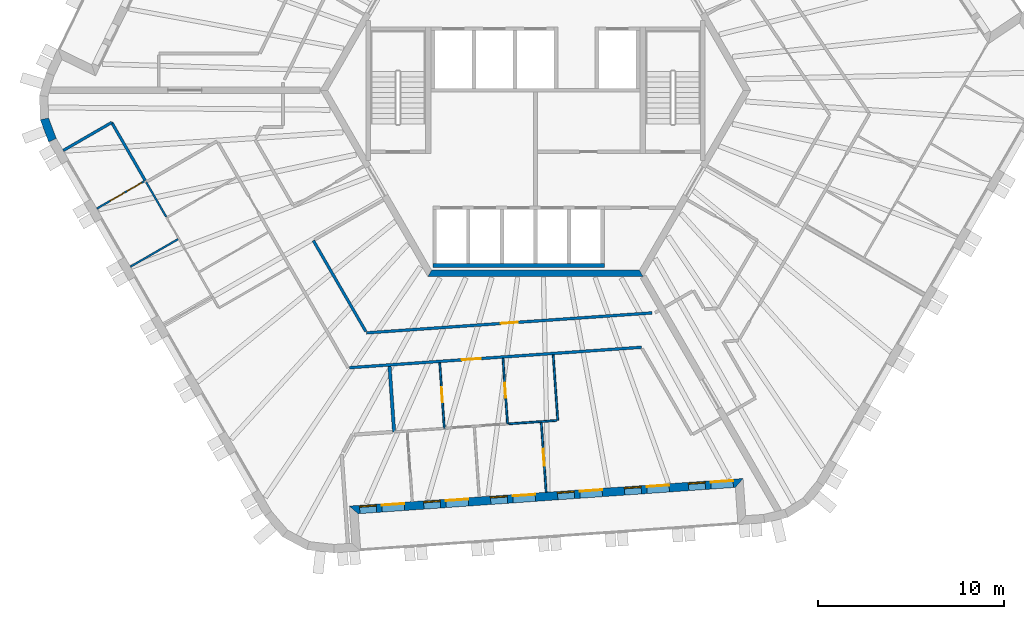
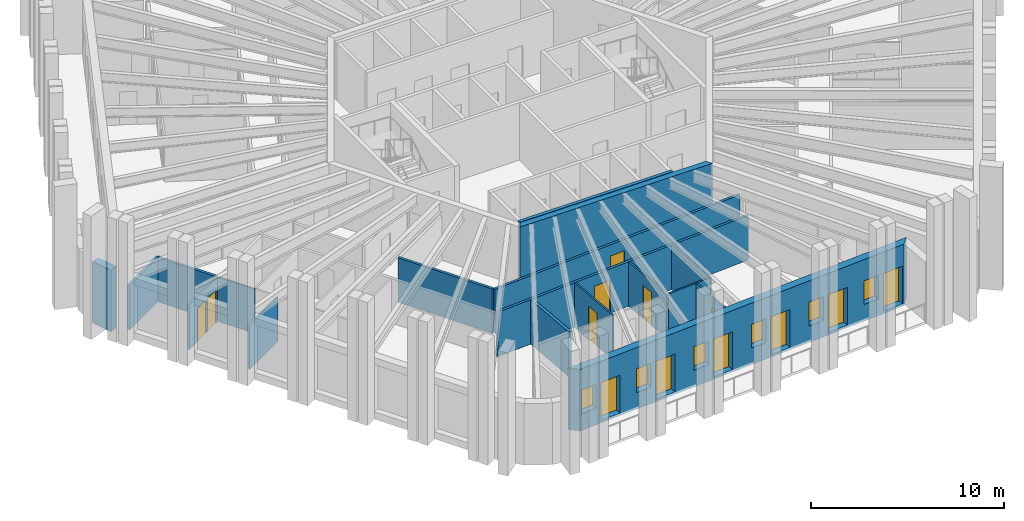
# One storey, part 3 of 12: 19 walls, 13 doors, 6 windows, 19 openings.
"""IFC4 building model written with IfcOpenShell, lengths in metres."""

from ifc_helpers import new_model, si_unit, direction, frame, frame_2d, origin, place, context, subcontext, project, spatial, polyline, rectangle, outline, extrude, material, layer, layer_set, type_object, element, fill, save


model = new_model("IFC4")

# Units and contexts
model_context = context("Model", 3, precision=1e-05, world=origin(), true_north=direction((0.0, 1.0)))
body_context = subcontext(model_context, "Body", "Model", "MODEL_VIEW")
ifc_project = project(units=[si_unit("LENGTHUNIT", "METRE"), si_unit("AREAUNIT", "SQUARE_METRE"), si_unit("VOLUMEUNIT", "CUBIC_METRE"), si_unit("PLANEANGLEUNIT", "RADIAN"), si_unit("MASSUNIT", "GRAM", prefix="KILO")], contexts=[model_context])

# Site, building, storey
site_placement = place(None, origin())
site = spatial("IfcSite", under=ifc_project, at=site_placement, CompositionType="ELEMENT")
building_placement = place(site_placement, origin())
building = spatial("IfcBuilding", under=site, at=building_placement, Name="Tarnside Tower", CompositionType="ELEMENT")
storey_placement = place(building_placement, frame((0.0, 0.0, 361.199951171875)))
storey = spatial("IfcBuildingStorey", under=building, at=storey_placement, Name="L87", CompositionType="ELEMENT", Elevation=361.199951171875)

# Walls
ifc_material_1 = material(Name="Gypsum board partition on steel studs", Category="steel")
ifc_layer_1 = layer(ifc_material_1, 0.10009765625)
ifc_layer_set_1 = layer_set([ifc_layer_1], Name="Bathroom wall 100")
wall_type_1 = type_object("IfcWallType", Name="Bathroom wall 100", PredefinedType="PARTITIONING", material=ifc_layer_set_1)
wall_1_placement = place(storey_placement, frame((-20.88525390625, -4.92578125, 0.0), z_axis=(0.0, 0.0, 1.0), x_axis=(0.500039660922, -0.86600250433, 0.0)))
element("IfcWall", 1, at=wall_1_placement, inside=storey, type_object=wall_type_1, Name="Bathroom wall 28111", PredefinedType="PARTITIONING", context=body_context, shape_type="SweptSolid", body=[
    extrude(rectangle(XDim=2.154052734375, YDim=0.10009765625, at=frame_2d((1.0771484375, 0.0))), origin(), (0.0, 0.0, 1.0), 2.820068359375),
])
wall_2_placement = place(storey_placement, frame((0.950439453125, -14.193359375, 0.0), z_axis=(0.0, 0.0, 1.0), x_axis=(0.069745730407, -0.997564801449, 0.0)))
element("IfcWall", 2, at=wall_2_placement, inside=storey, type_object=wall_type_1, Name="Bathroom wall 28116", PredefinedType="PARTITIONING", context=body_context, shape_type="SweptSolid", body=[
    extrude(rectangle(XDim=3.52490234375, YDim=0.10009765625, at=frame_2d((1.762451171875, 0.0))), origin(), (0.0, 0.0, 1.0), 2.820068359375),
])
wall_3_placement = place(storey_placement, frame((1.146484375, -17.713134765625, 0.0), z_axis=(0.0, 0.0, 1.0), x_axis=(-0.997553508491, -0.069907064713, 0.0)))
element("IfcWall", 3, at=wall_3_placement, inside=storey, type_object=wall_type_1, Name="Bathroom wall 28117", PredefinedType="PARTITIONING", context=body_context, shape_type="SweptSolid", body=[
    extrude(rectangle(XDim=0.841552734375, YDim=0.10009765625, at=frame_2d((0.4208984375, 0.0))), origin(), (0.0, 0.0, 1.0), 2.820068359375),
])

# Wall, opening, door
wall_4_placement = place(storey_placement, frame((-5.134765625, -14.618896484375, 0.0), z_axis=(0.0, 0.0, 1.0), x_axis=(0.069814653895, -0.997559980202, 0.0)))
wall_4 = element("IfcWall", 4, at=wall_4_placement, inside=storey, type_object=wall_type_1, Name="Bathroom wall 28118", PredefinedType="PARTITIONING", context=body_context, shape_type="SweptSolid", body=[
    extrude(rectangle(XDim=3.52490234375, YDim=0.10009765625, at=frame_2d((1.762451171875, 0.0))), origin(), (0.0, 0.0, 1.0), 2.820068359375),
])
opening_1_placement = place(wall_4_placement, frame((1.324951171875, 0.0, 0.0)))
opening_1 = element("IfcOpeningElement", 5, at=opening_1_placement, cuts=wall_4, Name="Opening D-B1", PredefinedType="OPENING", context=body_context, shape_type="SweptSolid", body=[
    extrude(rectangle(XDim=0.800048828125, YDim=2.10009765625, at=frame_2d((0.39990234375, 1.050048828125))), frame((0.0, 0.06005859375, 0.0), z_axis=(0.0, -1.0, 0.0), x_axis=(1.0, 0.0, 0.0)), (0.0, 0.0, 1.0), 0.1201171875),
])
ifc_material_2 = material(Name="Timber door leaf", Category="wood")
door_type_1 = type_object("IfcDoorType", Name="Bathroom door 800", OperationType="NOTDEFINED", PredefinedType="DOOR", material=ifc_material_2)
door_1_placement = place(opening_1_placement, origin())
door_1 = element("IfcDoor", 6, at=door_1_placement, inside=storey, type_object=door_type_1, Name="Bathroom door 28040", OperationType="SINGLE_SWING_RIGHT", OverallHeight=2.10009765625, OverallWidth=0.800048828125, PredefinedType="DOOR", context=body_context, shape_type="SweptSolid", body=[
    extrude(rectangle(XDim=0.800048828125, YDim=2.10009765625, at=frame_2d((0.39990234375, 1.050048828125))), frame((0.0, 0.02490234375, 0.0), z_axis=(0.0, -1.0, 0.0), x_axis=(1.0, 0.0, 0.0)), (0.0, 0.0, 1.0), 0.050048828125),
])
fill(opening_1, door_1)

wall_5_placement = place(storey_placement, frame((-1.4970703125, -17.89794921875, 0.0), z_axis=(0.0, 0.0, 1.0), x_axis=(-0.069745730407, 0.997564801449, 0.0)))
wall_5 = element("IfcWall", 7, at=wall_5_placement, inside=storey, type_object=wall_type_1, Name="Bathroom wall 28121", PredefinedType="PARTITIONING", context=body_context, shape_type="SweptSolid", body=[
    extrude(rectangle(XDim=3.52490234375, YDim=0.10009765625, at=frame_2d((1.762451171875, 0.0))), origin(), (0.0, 0.0, 1.0), 2.820068359375),
])
opening_2_placement = place(wall_5_placement, frame((1.39990234375, 0.0, 0.0)))
opening_2 = element("IfcOpeningElement", 8, at=opening_2_placement, cuts=wall_5, Name="Opening D-B1", PredefinedType="OPENING", context=body_context, shape_type="SweptSolid", body=[
    extrude(rectangle(XDim=0.800048828125, YDim=2.10009765625, at=frame_2d((0.39990234375, 1.050048828125))), frame((0.0, 0.06005859375, 0.0), z_axis=(0.0, -1.0, 0.0), x_axis=(1.0, 0.0, 0.0)), (0.0, 0.0, 1.0), 0.1201171875),
])
door_2_placement = place(opening_2_placement, origin())
door_2 = element("IfcDoor", 9, at=door_2_placement, inside=storey, type_object=door_type_1, Name="Bathroom door 28051", OperationType="SINGLE_SWING_LEFT", OverallHeight=2.10009765625, OverallWidth=0.800048828125, PredefinedType="DOOR", context=body_context, shape_type="SweptSolid", body=[
    extrude(rectangle(XDim=0.800048828125, YDim=2.10009765625, at=frame_2d((0.39990234375, 1.050048828125))), frame((0.0, 0.02490234375, 0.0), z_axis=(0.0, -1.0, 0.0), x_axis=(1.0, 0.0, 0.0)), (0.0, 0.0, 1.0), 0.050048828125),
])
fill(opening_2, door_2)

# Walls
wall_6_placement = place(storey_placement, frame((0.310791015625, -17.771484375, 0.0), z_axis=(0.0, 0.0, 1.0), x_axis=(-0.997559642586, -0.069819477831, 0.0)))
element("IfcWall", 10, at=wall_6_placement, inside=storey, type_object=wall_type_1, Name="Bathroom wall 28126", PredefinedType="PARTITIONING", context=body_context, shape_type="SweptSolid", body=[
    extrude(rectangle(XDim=1.762451171875, YDim=0.10009765625, at=frame_2d((0.88134765625, 0.0))), origin(), (0.0, 0.0, 1.0), 2.820068359375),
])
ifc_material_3 = material(Name="Concrete C50/60", Category="concrete")
ifc_layer_2 = layer(ifc_material_3, 0.35009765625)
ifc_layer_set_2 = layer_set([ifc_layer_2], Name="Core wall Z4 350 C50/60")
wall_type_2 = type_object("IfcWallType", Name="Core wall Z4 350 C50/60", PredefinedType="SHEAR", material=ifc_layer_set_2)
wall_7_placement = place(storey_placement, frame((-5.672607421875, -9.824951171875, -0.14990234375), z_axis=(0.0, 0.0, 1.0), x_axis=(1.0, 0.0, 0.0)))
element("IfcWall", 11, at=wall_7_placement, inside=storey, type_object=wall_type_2, Name="L87 core wall face 4", PredefinedType="SHEAR", context=body_context, shape_type="SweptSolid", body=[
    extrude(outline(polyline([(-0.10107421875, -0.175048828125), (11.4462890625, -0.175048828125), (11.244140625, 0.175048828125), (0.10107421875, 0.175048828125), (-0.10107421875, -0.175048828125)])), origin(), (0.0, 0.0, 1.0), 3.89990234375),
])

# Wall, opening, door
ifc_layer_3 = layer(ifc_material_1, 0.14990234375)
ifc_layer_set_3 = layer_set([ifc_layer_3], Name="Corridor wall 150 EI 60")
wall_type_3 = type_object("IfcWallType", Name="Corridor wall 150 EI 60", PredefinedType="PARTITIONING", material=ifc_layer_set_3)
wall_8_placement = place(storey_placement, frame((-9.9697265625, -14.881591796875, 0.0), z_axis=(0.0, 0.0, 1.0), x_axis=(0.997564384496, 0.06975169378, 0.0)))
wall_8 = element("IfcWall", 12, at=wall_8_placement, inside=storey, type_object=wall_type_3, Name="Corridor wall 28027", PredefinedType="PARTITIONING", context=body_context, shape_type="SweptSolid", body=[
    extrude(rectangle(XDim=15.687744140625, YDim=0.14990234375, at=frame_2d((7.84375, 0.0))), origin(), (0.0, 0.0, 1.0), 2.820068359375),
])
opening_3_placement = place(wall_8_placement, frame((6.041748046875, 0.0, 0.0)))
opening_3 = element("IfcOpeningElement", 13, at=opening_3_placement, cuts=wall_8, Name="Opening D-E1", PredefinedType="OPENING", context=body_context, shape_type="SweptSolid", body=[
    extrude(rectangle(XDim=1.0, YDim=2.10009765625, at=frame_2d((0.5, 1.050048828125))), frame((0.0, 0.0849609375, 0.0), z_axis=(0.0, -1.0, 0.0), x_axis=(1.0, 0.0, 0.0)), (0.0, 0.0, 1.0), 0.169921875),
])
door_type_2 = type_object("IfcDoorType", Name="Unit entrance door 1000 FD30S", OperationType="NOTDEFINED", PredefinedType="DOOR", material=ifc_material_2)
door_3_placement = place(opening_3_placement, origin())
door_3 = element("IfcDoor", 14, at=door_3_placement, inside=storey, type_object=door_type_2, Name="Unit door 28039", OperationType="SINGLE_SWING_LEFT", OverallHeight=2.10009765625, OverallWidth=1.0, PredefinedType="DOOR", context=body_context, shape_type="SweptSolid", body=[
    extrude(rectangle(XDim=1.0, YDim=2.10009765625, at=frame_2d((0.5, 1.050048828125))), frame((0.0, 0.02490234375, 0.0), z_axis=(0.0, -1.0, 0.0), x_axis=(1.0, 0.0, 0.0)), (0.0, 0.0, 1.0), 0.050048828125),
])
fill(opening_3, door_3)

# Walls
wall_9_placement = place(storey_placement, frame((-25.3291015625, -3.228759765625, 0.0), z_axis=(0.0, 0.0, 1.0), x_axis=(0.865999837459, 0.50004427956, 0.0)))
element("IfcWall", 15, at=wall_9_placement, inside=storey, type_object=wall_type_3, Name="Corridor wall 28031", PredefinedType="PARTITIONING", context=body_context, shape_type="SweptSolid", body=[
    extrude(rectangle(XDim=2.998779296875, YDim=0.14990234375, at=frame_2d((1.49951171875, 0.0))), origin(), (0.0, 0.0, 1.0), 2.820068359375),
])
wall_10_placement = place(storey_placement, frame((-22.73046875, -1.729736328125, 0.0), z_axis=(0.0, 0.0, 1.0), x_axis=(0.500027802648, -0.866009351323, 0.0)))
element("IfcWall", 16, at=wall_10_placement, inside=storey, type_object=wall_type_3, Name="Corridor wall 28032", PredefinedType="PARTITIONING", context=body_context, shape_type="SweptSolid", body=[
    extrude(rectangle(XDim=3.598876953125, YDim=0.14990234375, at=frame_2d((1.79931640625, 0.0))), origin(), (0.0, 0.0, 1.0), 2.820068359375),
])

# Wall, opening, door
wall_11_placement = place(storey_placement, frame((6.24462890625, -11.943603515625, 0.0), z_axis=(0.0, 0.0, 1.0), x_axis=(-0.997564707029, -0.069747080866, 0.0)))
wall_11 = element("IfcWall", 17, at=wall_11_placement, inside=storey, type_object=wall_type_3, Name="Corridor wall 28046", PredefinedType="PARTITIONING", context=body_context, shape_type="SweptSolid", body=[
    extrude(rectangle(XDim=15.338623046875, YDim=0.14990234375, at=frame_2d((7.66943359375, 0.0))), origin(), (0.0, 0.0, 1.0), 2.820068359375),
])
opening_4_placement = place(wall_11_placement, frame((7.21923828125, 0.0, 0.0)))
opening_4 = element("IfcOpeningElement", 18, at=opening_4_placement, cuts=wall_11, Name="Opening D-S1", PredefinedType="OPENING", context=body_context, shape_type="SweptSolid", body=[
    extrude(rectangle(XDim=0.89990234375, YDim=2.10009765625, at=frame_2d((0.449951171875, 1.050048828125))), frame((0.0, 0.0849609375, 0.0), z_axis=(0.0, -1.0, 0.0), x_axis=(1.0, 0.0, 0.0)), (0.0, 0.0, 1.0), 0.169921875),
])
door_type_3 = type_object("IfcDoorType", Name="Service room door 900 FD30S", OperationType="NOTDEFINED", PredefinedType="DOOR", material=ifc_material_2)
door_4_placement = place(opening_4_placement, origin())
door_4 = element("IfcDoor", 19, at=door_4_placement, inside=storey, type_object=door_type_3, Name="Service door 28066", OperationType="SINGLE_SWING_RIGHT", OverallHeight=2.10009765625, OverallWidth=0.89990234375, PredefinedType="DOOR", context=body_context, shape_type="SweptSolid", body=[
    extrude(rectangle(XDim=0.89990234375, YDim=2.10009765625, at=frame_2d((0.449951171875, 1.050048828125))), frame((0.0, 0.02490234375, 0.0), z_axis=(0.0, -1.0, 0.0), x_axis=(1.0, 0.0, 0.0)), (0.0, 0.0, 1.0), 0.050048828125),
])
fill(opening_4, door_4)

# Walls
wall_12_placement = place(storey_placement, frame((-9.098388671875, -12.941162109375, 0.0), z_axis=(0.0, 0.0, 1.0), x_axis=(-0.500009875128, 0.866019702301, 0.0)))
element("IfcWall", 20, at=wall_12_placement, inside=storey, type_object=wall_type_3, Name="Corridor wall 28047", PredefinedType="PARTITIONING", context=body_context, shape_type="SweptSolid", body=[
    extrude(rectangle(XDim=5.63720703125, YDim=0.14990234375, at=frame_2d((2.818603515625, 0.0))), origin(), (0.0, 0.0, 1.0), 2.820068359375),
])
ifc_layer_4 = layer(ifc_material_1, 0.179931640625)
ifc_layer_set_4 = layer_set([ifc_layer_4], Name="Demising wall 180 EI 60")
wall_type_4 = type_object("IfcWallType", Name="Demising wall 180 EI 60", PredefinedType="PARTITIONING", material=ifc_layer_set_4)
wall_13_placement = place(storey_placement, frame((-7.582275390625, -18.323486328125, 0.0), z_axis=(0.0, 0.0, 1.0), x_axis=(-0.069745730407, 0.997564801449, 0.0)))
element("IfcWall", 21, at=wall_13_placement, inside=storey, type_object=wall_type_4, Name="Demising wall 28103", PredefinedType="PARTITIONING", context=body_context, shape_type="SweptSolid", body=[
    extrude(rectangle(XDim=3.52490234375, YDim=0.179931640625, at=frame_2d((1.762451171875, 0.0))), origin(), (0.0, 0.0, 1.0), 2.820068359375),
])
ifc_material_4 = material(Name="Concrete C40/50", Category="concrete")
ifc_layer_5 = layer(ifc_material_4, 0.199951171875)
ifc_layer_set_5 = layer_set([ifc_layer_5], Name="Lift shaft wall 200 C40/50")
wall_type_5 = type_object("IfcWallType", Name="Lift shaft wall 200 C40/50", PredefinedType="SHEAR", material=ifc_layer_set_5)
wall_14_placement = place(storey_placement, frame((-5.5, -9.39990234375, -0.25), z_axis=(0.0, 0.0, 1.0), x_axis=(1.0, 0.0, 0.0)))
element("IfcWall", 22, at=wall_14_placement, inside=storey, type_object=wall_type_5, Name="L87 lift shaft back wall R4", PredefinedType="SHEAR", context=body_context, shape_type="SweptSolid", body=[
    extrude(rectangle(XDim=9.199951171875, YDim=0.199951171875, at=frame_2d((4.60009765625, 0.0))), origin(), (0.0, 0.0, 1.0), 3.900146484375),
])

# Wall, openings, doors, windows
ifc_material_5 = material(Name="Dark zinc cladding")
ifc_layer_6 = layer(ifc_material_5, 0.10205078125)
ifc_material_6 = material(Name="Concrete C60/75 precast", Category="concrete")
ifc_layer_7 = layer(ifc_material_6, 0.248046875)
ifc_material_7 = material(Name="Mineral wool insulation")
ifc_layer_8 = layer(ifc_material_7, 0.10009765625)
ifc_layer_set_6 = layer_set([ifc_layer_6, ifc_layer_7, ifc_layer_8], Name="Loggia wall 450 zinc faced")
wall_type_6 = type_object("IfcWallType", Name="Loggia wall 450 zinc faced", PredefinedType="SOLIDWALL", material=ifc_layer_set_6)
wall_15_placement = place(storey_placement, frame((-9.7509765625, -22.510009765625, -0.14990234375), z_axis=(0.0, 0.0, 1.0), x_axis=(0.997564460173, 0.06975061147, 0.0)))
wall_15 = element("IfcWall", 23, at=wall_15_placement, inside=storey, type_object=wall_type_6, Name="Tube wall L87 F4 back 18", PredefinedType="SOLIDWALL", context=body_context, shape_type="SweptSolid", body=[
    extrude(outline(polyline([(0.224853515625, -0.22509765625), (20.5068359375, -0.22509765625), (20.95654296875, 0.22509765625), (-0.224853515625, 0.22509765625), (0.224853515625, -0.22509765625)])), origin(), (0.0, 0.0, 1.0), 3.89990234375),
])
opening_5_placement = place(wall_15_placement, frame((0.324951171875, 0.0, 1.050048828125)))
opening_5 = element("IfcOpeningElement", 24, at=opening_5_placement, cuts=wall_15, Name="Opening WL450", PredefinedType="OPENING", context=body_context, shape_type="SweptSolid", body=[
    extrude(rectangle(XDim=0.89990234375, YDim=1.5, at=frame_2d((0.449951171875, 0.75))), frame((0.0, 0.23486328125, 0.0), z_axis=(0.0, -1.0, 0.0), x_axis=(1.0, 0.0, 0.0)), (0.0, 0.0, 1.0), 0.469970703125),
])
opening_6_placement = place(wall_15_placement, frame((1.52490234375, 0.0, 0.14990234375)))
opening_6 = element("IfcOpeningElement", 25, at=opening_6_placement, cuts=wall_15, Name="Opening DB450", PredefinedType="OPENING", context=body_context, shape_type="SweptSolid", body=[
    extrude(rectangle(XDim=1.199951171875, YDim=2.39990234375, at=frame_2d((0.60009765625, 1.199951171875))), frame((0.0, 0.23486328125, 0.0), z_axis=(0.0, -1.0, 0.0), x_axis=(1.0, 0.0, 0.0)), (0.0, 0.0, 1.0), 0.469970703125),
])
opening_7_placement = place(wall_15_placement, frame((3.765869140625, 0.0, 1.050048828125)))
opening_7 = element("IfcOpeningElement", 26, at=opening_7_placement, cuts=wall_15, Name="Opening WL450", PredefinedType="OPENING", context=body_context, shape_type="SweptSolid", body=[
    extrude(rectangle(XDim=0.89990234375, YDim=1.5, at=frame_2d((0.449951171875, 0.75))), frame((0.0, 0.23486328125, 0.0), z_axis=(0.0, -1.0, 0.0), x_axis=(1.0, 0.0, 0.0)), (0.0, 0.0, 1.0), 0.469970703125),
])
opening_8_placement = place(wall_15_placement, frame((4.9658203125, 0.0, 0.14990234375)))
opening_8 = element("IfcOpeningElement", 27, at=opening_8_placement, cuts=wall_15, Name="Opening DB450", PredefinedType="OPENING", context=body_context, shape_type="SweptSolid", body=[
    extrude(rectangle(XDim=1.199951171875, YDim=2.39990234375, at=frame_2d((0.60009765625, 1.199951171875))), frame((0.0, 0.23486328125, 0.0), z_axis=(0.0, -1.0, 0.0), x_axis=(1.0, 0.0, 0.0)), (0.0, 0.0, 1.0), 0.469970703125),
])
opening_9_placement = place(wall_15_placement, frame((7.36572265625, 0.0, 1.050048828125)))
opening_9 = element("IfcOpeningElement", 28, at=opening_9_placement, cuts=wall_15, Name="Opening WL450", PredefinedType="OPENING", context=body_context, shape_type="SweptSolid", body=[
    extrude(rectangle(XDim=0.89990234375, YDim=1.5, at=frame_2d((0.449951171875, 0.75))), frame((0.0, 0.23486328125, 0.0), z_axis=(0.0, -1.0, 0.0), x_axis=(1.0, 0.0, 0.0)), (0.0, 0.0, 1.0), 0.469970703125),
])
opening_10_placement = place(wall_15_placement, frame((8.56591796875, 0.0, 0.14990234375)))
opening_10 = element("IfcOpeningElement", 29, at=opening_10_placement, cuts=wall_15, Name="Opening DB450", PredefinedType="OPENING", context=body_context, shape_type="SweptSolid", body=[
    extrude(rectangle(XDim=1.199951171875, YDim=2.39990234375, at=frame_2d((0.60009765625, 1.199951171875))), frame((0.0, 0.23486328125, 0.0), z_axis=(0.0, -1.0, 0.0), x_axis=(1.0, 0.0, 0.0)), (0.0, 0.0, 1.0), 0.469970703125),
])
opening_11_placement = place(wall_15_placement, frame((10.9658203125, 0.0, 1.050048828125)))
opening_11 = element("IfcOpeningElement", 30, at=opening_11_placement, cuts=wall_15, Name="Opening WL450", PredefinedType="OPENING", context=body_context, shape_type="SweptSolid", body=[
    extrude(rectangle(XDim=0.89990234375, YDim=1.5, at=frame_2d((0.449951171875, 0.75))), frame((0.0, 0.23486328125, 0.0), z_axis=(0.0, -1.0, 0.0), x_axis=(1.0, 0.0, 0.0)), (0.0, 0.0, 1.0), 0.469970703125),
])
opening_12_placement = place(wall_15_placement, frame((12.165771484375, 0.0, 0.14990234375)))
opening_12 = element("IfcOpeningElement", 31, at=opening_12_placement, cuts=wall_15, Name="Opening DB450", PredefinedType="OPENING", context=body_context, shape_type="SweptSolid", body=[
    extrude(rectangle(XDim=1.199951171875, YDim=2.39990234375, at=frame_2d((0.60009765625, 1.199951171875))), frame((0.0, 0.23486328125, 0.0), z_axis=(0.0, -1.0, 0.0), x_axis=(1.0, 0.0, 0.0)), (0.0, 0.0, 1.0), 0.469970703125),
])
opening_13_placement = place(wall_15_placement, frame((14.56591796875, 0.0, 1.050048828125)))
opening_13 = element("IfcOpeningElement", 32, at=opening_13_placement, cuts=wall_15, Name="Opening WL450", PredefinedType="OPENING", context=body_context, shape_type="SweptSolid", body=[
    extrude(rectangle(XDim=0.89990234375, YDim=1.5, at=frame_2d((0.449951171875, 0.75))), frame((0.0, 0.23486328125, 0.0), z_axis=(0.0, -1.0, 0.0), x_axis=(1.0, 0.0, 0.0)), (0.0, 0.0, 1.0), 0.469970703125),
])
opening_14_placement = place(wall_15_placement, frame((15.765869140625, 0.0, 0.14990234375)))
opening_14 = element("IfcOpeningElement", 33, at=opening_14_placement, cuts=wall_15, Name="Opening DB450", PredefinedType="OPENING", context=body_context, shape_type="SweptSolid", body=[
    extrude(rectangle(XDim=1.199951171875, YDim=2.39990234375, at=frame_2d((0.60009765625, 1.199951171875))), frame((0.0, 0.23486328125, 0.0), z_axis=(0.0, -1.0, 0.0), x_axis=(1.0, 0.0, 0.0)), (0.0, 0.0, 1.0), 0.469970703125),
])
opening_15_placement = place(wall_15_placement, frame((18.006591796875, 0.0, 1.050048828125)))
opening_15 = element("IfcOpeningElement", 34, at=opening_15_placement, cuts=wall_15, Name="Opening WL450", PredefinedType="OPENING", context=body_context, shape_type="SweptSolid", body=[
    extrude(rectangle(XDim=0.89990234375, YDim=1.5, at=frame_2d((0.449951171875, 0.75))), frame((0.0, 0.23486328125, 0.0), z_axis=(0.0, -1.0, 0.0), x_axis=(1.0, 0.0, 0.0)), (0.0, 0.0, 1.0), 0.469970703125),
])
opening_16_placement = place(wall_15_placement, frame((19.20654296875, 0.0, 0.14990234375)))
opening_16 = element("IfcOpeningElement", 35, at=opening_16_placement, cuts=wall_15, Name="Opening DB450", PredefinedType="OPENING", context=body_context, shape_type="SweptSolid", body=[
    extrude(rectangle(XDim=1.199951171875, YDim=2.39990234375, at=frame_2d((0.60009765625, 1.199951171875))), frame((0.0, 0.23486328125, 0.0), z_axis=(0.0, -1.0, 0.0), x_axis=(1.0, 0.0, 0.0)), (0.0, 0.0, 1.0), 0.469970703125),
])
ifc_material_8 = material(Name="Aluminium-framed double glazing", Category="aluminium")
door_type_4 = type_object("IfcDoorType", Name="Balcony sliding door 1200 x 2400 in 450 wall", OperationType="SLIDING_TO_LEFT", PredefinedType="DOOR", material=ifc_material_8)
door_5_placement = place(opening_6_placement, frame((0.0, 0.150146484375, 0.0)))
door_5 = element("IfcDoor", 36, at=door_5_placement, inside=storey, type_object=door_type_4, Name="E.BD.L87.F4.00", OperationType="SLIDING_TO_LEFT", OverallHeight=2.39990234375, OverallWidth=1.199951171875, PredefinedType="DOOR", context=body_context, shape_type="SweptSolid", body=[
    extrude(rectangle(XDim=1.199951171875, YDim=2.39990234375, at=frame_2d((0.60009765625, 1.199951171875))), frame((0.0, 0.02490234375, 0.0), z_axis=(0.0, -1.0, 0.0), x_axis=(1.0, 0.0, 0.0)), (0.0, 0.0, 1.0), 0.050048828125),
])
fill(opening_6, door_5)
door_6_placement = place(opening_8_placement, frame((0.0, 0.150146484375, 0.0)))
door_6 = element("IfcDoor", 37, at=door_6_placement, inside=storey, type_object=door_type_4, Name="E.BD.L87.F4.01", OperationType="SLIDING_TO_LEFT", OverallHeight=2.39990234375, OverallWidth=1.199951171875, PredefinedType="DOOR", context=body_context, shape_type="SweptSolid", body=[
    extrude(rectangle(XDim=1.199951171875, YDim=2.39990234375, at=frame_2d((0.60009765625, 1.199951171875))), frame((0.0, 0.02490234375, 0.0), z_axis=(0.0, -1.0, 0.0), x_axis=(1.0, 0.0, 0.0)), (0.0, 0.0, 1.0), 0.050048828125),
])
fill(opening_8, door_6)
door_7_placement = place(opening_10_placement, frame((0.0, 0.150146484375, 0.0)))
door_7 = element("IfcDoor", 38, at=door_7_placement, inside=storey, type_object=door_type_4, Name="E.BD.L87.F4.02", OperationType="SLIDING_TO_LEFT", OverallHeight=2.39990234375, OverallWidth=1.199951171875, PredefinedType="DOOR", context=body_context, shape_type="SweptSolid", body=[
    extrude(rectangle(XDim=1.199951171875, YDim=2.39990234375, at=frame_2d((0.60009765625, 1.199951171875))), frame((0.0, 0.02490234375, 0.0), z_axis=(0.0, -1.0, 0.0), x_axis=(1.0, 0.0, 0.0)), (0.0, 0.0, 1.0), 0.050048828125),
])
fill(opening_10, door_7)
door_8_placement = place(opening_12_placement, frame((0.0, 0.150146484375, 0.0)))
door_8 = element("IfcDoor", 39, at=door_8_placement, inside=storey, type_object=door_type_4, Name="E.BD.L87.F4.03", OperationType="SLIDING_TO_LEFT", OverallHeight=2.39990234375, OverallWidth=1.199951171875, PredefinedType="DOOR", context=body_context, shape_type="SweptSolid", body=[
    extrude(rectangle(XDim=1.199951171875, YDim=2.39990234375, at=frame_2d((0.60009765625, 1.199951171875))), frame((0.0, 0.02490234375, 0.0), z_axis=(0.0, -1.0, 0.0), x_axis=(1.0, 0.0, 0.0)), (0.0, 0.0, 1.0), 0.050048828125),
])
fill(opening_12, door_8)
door_9_placement = place(opening_14_placement, frame((0.0, 0.150146484375, 0.0)))
door_9 = element("IfcDoor", 40, at=door_9_placement, inside=storey, type_object=door_type_4, Name="E.BD.L87.F4.04", OperationType="SLIDING_TO_LEFT", OverallHeight=2.39990234375, OverallWidth=1.199951171875, PredefinedType="DOOR", context=body_context, shape_type="SweptSolid", body=[
    extrude(rectangle(XDim=1.199951171875, YDim=2.39990234375, at=frame_2d((0.60009765625, 1.199951171875))), frame((0.0, 0.02490234375, 0.0), z_axis=(0.0, -1.0, 0.0), x_axis=(1.0, 0.0, 0.0)), (0.0, 0.0, 1.0), 0.050048828125),
])
fill(opening_14, door_9)
door_10_placement = place(opening_16_placement, frame((0.0, 0.150146484375, 0.0)))
door_10 = element("IfcDoor", 41, at=door_10_placement, inside=storey, type_object=door_type_4, Name="E.BD.L87.F4.05", OperationType="SLIDING_TO_LEFT", OverallHeight=2.39990234375, OverallWidth=1.199951171875, PredefinedType="DOOR", context=body_context, shape_type="SweptSolid", body=[
    extrude(rectangle(XDim=1.199951171875, YDim=2.39990234375, at=frame_2d((0.60009765625, 1.199951171875))), frame((0.0, 0.02490234375, 0.0), z_axis=(0.0, -1.0, 0.0), x_axis=(1.0, 0.0, 0.0)), (0.0, 0.0, 1.0), 0.050048828125),
])
fill(opening_16, door_10)
window_type = type_object("IfcWindowType", Name="Loggia window 900 x 1500 in 450 wall", PartitioningType="SINGLE_PANEL", PredefinedType="WINDOW", material=ifc_material_8)
window_1_placement = place(opening_5_placement, frame((0.0, 0.1552734375, 0.0)))
window_1 = element("IfcWindow", 42, at=window_1_placement, inside=storey, type_object=window_type, Name="E.LW.L87.F4.00", OverallHeight=1.5, OverallWidth=0.89990234375, PartitioningType="SINGLE_PANEL", PredefinedType="WINDOW", context=body_context, shape_type="SweptSolid", body=[
    extrude(rectangle(XDim=0.89990234375, YDim=1.5, at=frame_2d((0.449951171875, 0.75))), frame((0.0, 0.030029296875, 0.0), z_axis=(0.0, -1.0, 0.0), x_axis=(1.0, 0.0, 0.0)), (0.0, 0.0, 1.0), 0.06005859375),
])
fill(opening_5, window_1)
window_2_placement = place(opening_7_placement, frame((0.0, 0.1552734375, 0.0)))
window_2 = element("IfcWindow", 43, at=window_2_placement, inside=storey, type_object=window_type, Name="E.LW.L87.F4.01", OverallHeight=1.5, OverallWidth=0.89990234375, PartitioningType="SINGLE_PANEL", PredefinedType="WINDOW", context=body_context, shape_type="SweptSolid", body=[
    extrude(rectangle(XDim=0.89990234375, YDim=1.5, at=frame_2d((0.449951171875, 0.75))), frame((0.0, 0.030029296875, 0.0), z_axis=(0.0, -1.0, 0.0), x_axis=(1.0, 0.0, 0.0)), (0.0, 0.0, 1.0), 0.06005859375),
])
fill(opening_7, window_2)
window_3_placement = place(opening_9_placement, frame((0.0, 0.1552734375, 0.0)))
window_3 = element("IfcWindow", 44, at=window_3_placement, inside=storey, type_object=window_type, Name="E.LW.L87.F4.02", OverallHeight=1.5, OverallWidth=0.89990234375, PartitioningType="SINGLE_PANEL", PredefinedType="WINDOW", context=body_context, shape_type="SweptSolid", body=[
    extrude(rectangle(XDim=0.89990234375, YDim=1.5, at=frame_2d((0.449951171875, 0.75))), frame((0.0, 0.030029296875, 0.0), z_axis=(0.0, -1.0, 0.0), x_axis=(1.0, 0.0, 0.0)), (0.0, 0.0, 1.0), 0.06005859375),
])
fill(opening_9, window_3)
window_4_placement = place(opening_11_placement, frame((0.0, 0.1552734375, 0.0)))
window_4 = element("IfcWindow", 45, at=window_4_placement, inside=storey, type_object=window_type, Name="E.LW.L87.F4.03", OverallHeight=1.5, OverallWidth=0.89990234375, PartitioningType="SINGLE_PANEL", PredefinedType="WINDOW", context=body_context, shape_type="SweptSolid", body=[
    extrude(rectangle(XDim=0.89990234375, YDim=1.5, at=frame_2d((0.449951171875, 0.75))), frame((0.0, 0.030029296875, 0.0), z_axis=(0.0, -1.0, 0.0), x_axis=(1.0, 0.0, 0.0)), (0.0, 0.0, 1.0), 0.06005859375),
])
fill(opening_11, window_4)
window_5_placement = place(opening_13_placement, frame((0.0, 0.1552734375, 0.0)))
window_5 = element("IfcWindow", 46, at=window_5_placement, inside=storey, type_object=window_type, Name="E.LW.L87.F4.04", OverallHeight=1.5, OverallWidth=0.89990234375, PartitioningType="SINGLE_PANEL", PredefinedType="WINDOW", context=body_context, shape_type="SweptSolid", body=[
    extrude(rectangle(XDim=0.89990234375, YDim=1.5, at=frame_2d((0.449951171875, 0.75))), frame((0.0, 0.030029296875, 0.0), z_axis=(0.0, -1.0, 0.0), x_axis=(1.0, 0.0, 0.0)), (0.0, 0.0, 1.0), 0.06005859375),
])
fill(opening_13, window_5)
window_6_placement = place(opening_15_placement, frame((0.0, 0.1552734375, 0.0)))
window_6 = element("IfcWindow", 47, at=window_6_placement, inside=storey, type_object=window_type, Name="E.LW.L87.F4.05", OverallHeight=1.5, OverallWidth=0.89990234375, PartitioningType="SINGLE_PANEL", PredefinedType="WINDOW", context=body_context, shape_type="SweptSolid", body=[
    extrude(rectangle(XDim=0.89990234375, YDim=1.5, at=frame_2d((0.449951171875, 0.75))), frame((0.0, 0.030029296875, 0.0), z_axis=(0.0, -1.0, 0.0), x_axis=(1.0, 0.0, 0.0)), (0.0, 0.0, 1.0), 0.06005859375),
])
fill(opening_15, window_6)

# Wall, openings, doors
ifc_layer_9 = layer(ifc_material_1, 0.10009765625)
ifc_layer_set_7 = layer_set([ifc_layer_9], Name="Partition 100")
wall_type_7 = type_object("IfcWallType", Name="Partition 100", PredefinedType="PARTITIONING", material=ifc_layer_set_7)
wall_16_placement = place(storey_placement, frame((-23.529052734375, -6.346435546875, 0.0), z_axis=(0.0, 0.0, 1.0), x_axis=(0.866025730634, 0.499999433879, 0.0)))
wall_16 = element("IfcWall", 48, at=wall_16_placement, inside=storey, type_object=wall_type_7, Name="Partition wall 28112", PredefinedType="PARTITIONING", context=body_context, shape_type="SweptSolid", body=[
    extrude(rectangle(XDim=2.9248046875, YDim=0.10009765625, at=frame_2d((1.46240234375, 0.0))), origin(), (0.0, 0.0, 1.0), 2.820068359375),
])
opening_17_placement = place(wall_16_placement, frame((1.875, 0.0, 0.0)))
opening_17 = element("IfcOpeningElement", 49, at=opening_17_placement, cuts=wall_16, Name="Opening D-I1", PredefinedType="OPENING", context=body_context, shape_type="SweptSolid", body=[
    extrude(rectangle(XDim=0.89990234375, YDim=2.10009765625, at=frame_2d((0.449951171875, 1.050048828125))), frame((0.0, 0.06005859375, 0.0), z_axis=(0.0, -1.0, 0.0), x_axis=(1.0, 0.0, 0.0)), (0.0, 0.0, 1.0), 0.1201171875),
])
opening_18_placement = place(wall_16_placement, frame((0.824951171875, 0.0, 0.0)))
opening_18 = element("IfcOpeningElement", 50, at=opening_18_placement, cuts=wall_16, Name="Opening D-I1", PredefinedType="OPENING", context=body_context, shape_type="SweptSolid", body=[
    extrude(rectangle(XDim=0.89990234375, YDim=2.10009765625, at=frame_2d((0.449951171875, 1.050048828125))), frame((0.0, 0.06005859375, 0.0), z_axis=(0.0, -1.0, 0.0), x_axis=(1.0, 0.0, 0.0)), (0.0, 0.0, 1.0), 0.1201171875),
])
door_type_5 = type_object("IfcDoorType", Name="Internal door 900", OperationType="NOTDEFINED", PredefinedType="DOOR", material=ifc_material_2)
door_11_placement = place(opening_17_placement, origin())
door_11 = element("IfcDoor", 51, at=door_11_placement, inside=storey, type_object=door_type_5, Name="Internal door 28033", OperationType="SINGLE_SWING_RIGHT", OverallHeight=2.10009765625, OverallWidth=0.89990234375, PredefinedType="DOOR", context=body_context, shape_type="SweptSolid", body=[
    extrude(rectangle(XDim=0.89990234375, YDim=2.10009765625, at=frame_2d((0.449951171875, 1.050048828125))), frame((0.0, 0.02490234375, 0.0), z_axis=(0.0, -1.0, 0.0), x_axis=(1.0, 0.0, 0.0)), (0.0, 0.0, 1.0), 0.050048828125),
])
fill(opening_17, door_11)
door_12_placement = place(opening_18_placement, origin())
door_12 = element("IfcDoor", 52, at=door_12_placement, inside=storey, type_object=door_type_5, Name="Internal door 28036", OperationType="SINGLE_SWING_RIGHT", OverallHeight=2.10009765625, OverallWidth=0.89990234375, PredefinedType="DOOR", context=body_context, shape_type="SweptSolid", body=[
    extrude(rectangle(XDim=0.89990234375, YDim=2.10009765625, at=frame_2d((0.449951171875, 1.050048828125))), frame((0.0, 0.02490234375, 0.0), z_axis=(0.0, -1.0, 0.0), x_axis=(1.0, 0.0, 0.0)), (0.0, 0.0, 1.0), 0.050048828125),
])
fill(opening_18, door_12)

# Wall
wall_17_placement = place(storey_placement, frame((-21.72900390625, -9.464111328125, 0.0), z_axis=(0.0, 0.0, 1.0), x_axis=(0.866003658127, 0.500037662692, 0.0)))
element("IfcWall", 53, at=wall_17_placement, inside=storey, type_object=wall_type_7, Name="Partition wall 28113", PredefinedType="PARTITIONING", context=body_context, shape_type="SweptSolid", body=[
    extrude(rectangle(XDim=2.949951171875, YDim=0.10009765625, at=frame_2d((1.47509765625, 0.0))), origin(), (0.0, 0.0, 1.0), 2.820068359375),
])

# Wall, opening, door
wall_18_placement = place(storey_placement, frame((0.312255859375, -17.821533203125, 0.0), z_axis=(0.0, 0.0, 1.0), x_axis=(0.069789608916, -0.99756173267, 0.0)))
wall_18 = element("IfcWall", 54, at=wall_18_placement, inside=storey, type_object=wall_type_7, Name="Partition wall 28115", PredefinedType="PARTITIONING", context=body_context, shape_type="SweptSolid", body=[
    extrude(rectangle(XDim=3.75, YDim=0.10009765625, at=frame_2d((1.875, 0.0))), origin(), (0.0, 0.0, 1.0), 2.820068359375),
])
opening_19_placement = place(wall_18_placement, frame((1.425048828125, 0.0, 0.0)))
opening_19 = element("IfcOpeningElement", 55, at=opening_19_placement, cuts=wall_18, Name="Opening D-I1", PredefinedType="OPENING", context=body_context, shape_type="SweptSolid", body=[
    extrude(rectangle(XDim=0.89990234375, YDim=2.10009765625, at=frame_2d((0.449951171875, 1.050048828125))), frame((0.0, 0.06005859375, 0.0), z_axis=(0.0, -1.0, 0.0), x_axis=(1.0, 0.0, 0.0)), (0.0, 0.0, 1.0), 0.1201171875),
])
door_13_placement = place(opening_19_placement, origin())
door_13 = element("IfcDoor", 56, at=door_13_placement, inside=storey, type_object=door_type_5, Name="Internal door 28063", OperationType="SINGLE_SWING_LEFT", OverallHeight=2.10009765625, OverallWidth=0.89990234375, PredefinedType="DOOR", context=body_context, shape_type="SweptSolid", body=[
    extrude(rectangle(XDim=0.89990234375, YDim=2.10009765625, at=frame_2d((0.449951171875, 1.050048828125))), frame((0.0, 0.02490234375, 0.0), z_axis=(0.0, -1.0, 0.0), x_axis=(1.0, 0.0, 0.0)), (0.0, 0.0, 1.0), 0.050048828125),
])
fill(opening_19, door_13)

# Wall
ifc_material_9 = material(Name="Facing brick", Category="masonry")
ifc_layer_10 = layer(ifc_material_9, 0.10205078125)
ifc_layer_11 = layer(ifc_material_6, 0.248046875)
ifc_layer_12 = layer(ifc_material_7, 0.10009765625)
ifc_layer_set_8 = layer_set([ifc_layer_10, ifc_layer_11, ifc_layer_12], Name="Tube wall 450 brick faced")
wall_type_8 = type_object("IfcWallType", Name="Tube wall 450 brick faced", PredefinedType="SOLIDWALL", material=ifc_layer_set_8)
wall_19_placement = place(storey_placement, frame((-26.339111328125, -1.532470703125, -0.14990234375), z_axis=(0.0, 0.0, 1.0), x_axis=(0.353132996235, -0.935573132882, 0.0)))
element("IfcWall", 57, at=wall_19_placement, inside=storey, type_object=wall_type_8, Name="Tube wall L87 F2 chord 11", PredefinedType="SOLIDWALL", context=body_context, shape_type="SweptSolid", body=[
    extrude(outline(polyline([(-0.036865234375, -0.22509765625), (1.24267578125, -0.22509765625), (1.2060546875, 0.22509765625), (0.036865234375, 0.22509765625), (-0.036865234375, -0.22509765625)])), origin(), (0.0, 0.0, 1.0), 3.89990234375),
])

save(model, "model.ifc")
